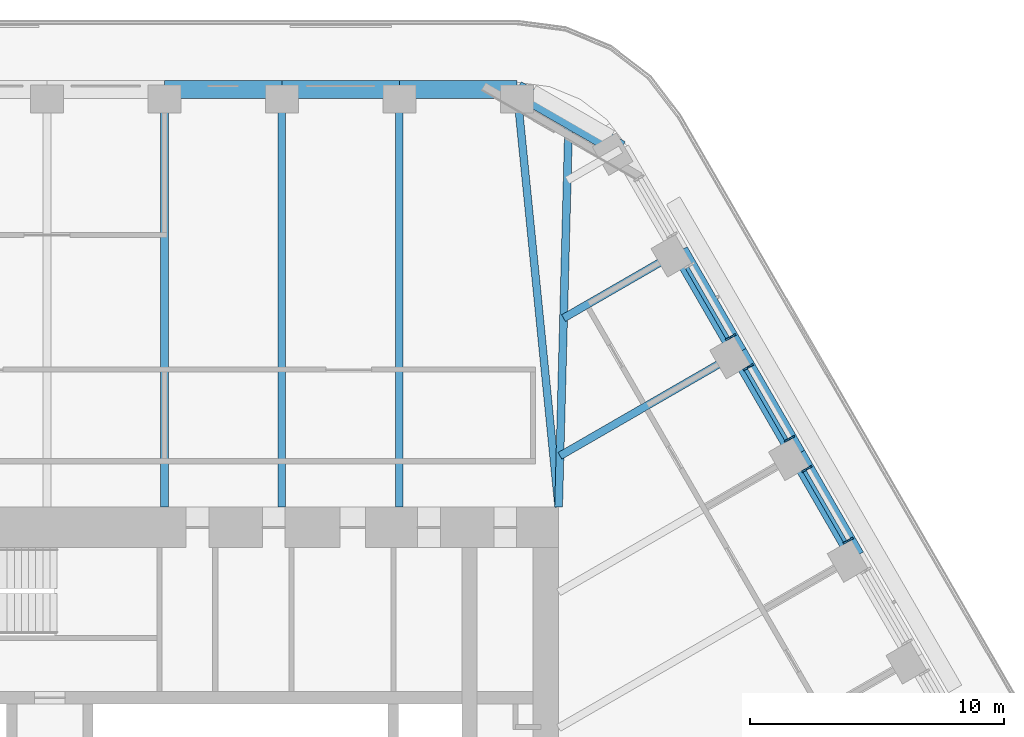
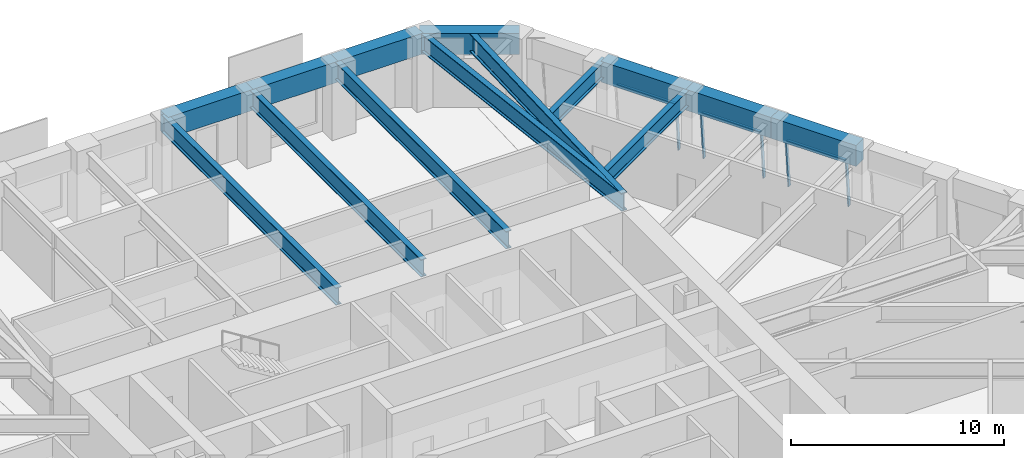
# One storey, part 11 of 20: 14 beams, 8 members, 3 elements without a shape of their own.
"""IFC4 building model written with IfcOpenShell, lengths in metres."""

from ifc_helpers import new_model, si_unit, direction, frame, origin, origin_2d, place, context, subcontext, project, spatial, rectangle, i_section, extrude, material, material_profile, profile_set, type_object, element, aggregate, save


model = new_model("IFC4")

# Units and contexts
model_context = context("Model", 3, precision=1e-05, world=origin(), true_north=direction((0.0, 1.0)))
body_context = subcontext(model_context, "Body", "Model", "MODEL_VIEW")
ifc_project = project(units=[si_unit("LENGTHUNIT", "METRE"), si_unit("AREAUNIT", "SQUARE_METRE"), si_unit("VOLUMEUNIT", "CUBIC_METRE"), si_unit("PLANEANGLEUNIT", "RADIAN"), si_unit("MASSUNIT", "GRAM", prefix="KILO")], contexts=[model_context])

# Site, building, storey
site_placement = place(None, origin())
site = spatial("IfcSite", under=ifc_project, at=site_placement, CompositionType="ELEMENT")
building_placement = place(site_placement, origin())
building = spatial("IfcBuilding", under=site, at=building_placement, Name="Tarfa Lantern Tower", CompositionType="ELEMENT")
storey_placement = place(building_placement, frame((0.0, 0.0, 240.699951171875)))
storey = spatial("IfcBuildingStorey", under=building, at=storey_placement, Name="L54", CompositionType="ELEMENT", Elevation=240.699951171875)

# Curtain wall, members
ifc_material_1 = material(Name="Aluminium framed curtain wall", Category="aluminium")
curtain_wall_type = type_object("IfcCurtainWallType", Name="CW3 CANTED GLAZING HIGH ZONE 2800", PredefinedType="USERDEFINED", material=ifc_material_1)
curtain_wall_1_placement = place(storey_placement, origin())
curtain_wall_1 = element("IfcCurtainWall", 1, at=curtain_wall_1_placement, inside=storey, type_object=curtain_wall_type, Name="CW3 NE L54", ObjectType="CURTAIN WALL", PredefinedType="USERDEFINED")
ifc_material_2 = material(Name="Aluminium mullion", Category="aluminium")
ifc_material_profile_1 = material_profile(ifc_material_2, rectangle(XDim=0.06494140625, YDim=0.199951171875, at=origin_2d()), Name="AL MULLION 65x200")
ifc_profile_set_1 = profile_set([ifc_material_profile_1], Name="Aluminium mullion")
member_type_1 = type_object("IfcMemberType", Name="CWM1 MULLION 65x200", PredefinedType="MULLION", material=ifc_profile_set_1)
member_1_placement = place(storey_placement, frame((26.996337890625, 11.041015625, 0.0), z_axis=(-0.077032386753, -0.044465143199, 0.996036576854), x_axis=(0.499919672301, -0.866071776036, 0.0)))
member_1 = element("IfcMember", 2, at=member_1_placement, type_object=member_type_1, Name="CW3 mullion 1", PredefinedType="MULLION", context=body_context, shape_type="SweptSolid", body=[
    extrude(rectangle(XDim=0.06494140625, YDim=0.199951171875, at=origin_2d()), origin(), (0.0, 0.0, 1.0), 2.811279296875),
])
member_2_placement = place(storey_placement, frame((25.369384765625, 13.85888671875, 0.0), z_axis=(-0.077032386753, -0.044465143199, 0.996036576854), x_axis=(0.499919672301, -0.866071776036, 0.0)))
member_2 = element("IfcMember", 3, at=member_2_placement, type_object=member_type_1, Name="CW3 mullion 2", PredefinedType="MULLION", context=body_context, shape_type="SweptSolid", body=[
    extrude(rectangle(XDim=0.06494140625, YDim=0.199951171875, at=origin_2d()), origin(), (0.0, 0.0, 1.0), 2.811279296875),
])

curtain_wall_2_placement = place(storey_placement, origin())
curtain_wall_2 = element("IfcCurtainWall", 4, at=curtain_wall_2_placement, inside=storey, type_object=curtain_wall_type, Name="CW3 NE L54", ObjectType="CURTAIN WALL", PredefinedType="USERDEFINED")
member_3_placement = place(storey_placement, frame((24.686767578125, 15.041015625, 0.0), z_axis=(-0.076946055247, -0.044465440504, 0.996043236603), x_axis=(0.500342721131, -0.865827443207, 0.0)))
member_3 = element("IfcMember", 5, at=member_3_placement, type_object=member_type_1, Name="CW3 mullion 1", PredefinedType="MULLION", context=body_context, shape_type="SweptSolid", body=[
    extrude(rectangle(XDim=0.06494140625, YDim=0.199951171875, at=origin_2d()), origin(), (0.0, 0.0, 1.0), 2.811279296875),
])
member_4_placement = place(storey_placement, frame((23.06005859375, 17.85888671875, 0.0), z_axis=(-0.077032386753, -0.044465143199, 0.996036576854), x_axis=(0.499919672301, -0.866071776036, 0.0)))
member_4 = element("IfcMember", 6, at=member_4_placement, type_object=member_type_1, Name="CW3 mullion 2", PredefinedType="MULLION", context=body_context, shape_type="SweptSolid", body=[
    extrude(rectangle(XDim=0.06494140625, YDim=0.199951171875, at=origin_2d()), origin(), (0.0, 0.0, 1.0), 2.811279296875),
])

# Curtain wall, member
curtain_wall_3_placement = place(storey_placement, origin())
curtain_wall_3 = element("IfcCurtainWall", 7, at=curtain_wall_3_placement, inside=storey, type_object=curtain_wall_type, Name="CW3 NE L54", ObjectType="CURTAIN WALL", PredefinedType="USERDEFINED")
member_5_placement = place(storey_placement, frame((22.37744140625, 19.041015625, 0.0), z_axis=(-0.077032386753, -0.044465143199, 0.996036576854), x_axis=(0.499919672301, -0.866071776036, 0.0)))
member_5 = element("IfcMember", 8, at=member_5_placement, type_object=member_type_1, Name="CW3 mullion 1", PredefinedType="MULLION", context=body_context, shape_type="SweptSolid", body=[
    extrude(rectangle(XDim=0.06494140625, YDim=0.199951171875, at=origin_2d()), origin(), (0.0, 0.0, 1.0), 2.811279296875),
])

# Member
ifc_material_3 = material(Name="Aluminium transom", Category="aluminium")
ifc_material_profile_2 = material_profile(ifc_material_3, rectangle(XDim=0.14990234375, YDim=0.06494140625, at=origin_2d()), Name="AL TRANSOM 150x65")
ifc_profile_set_2 = profile_set([ifc_material_profile_2], Name="Aluminium transom")
member_type_2 = type_object("IfcMemberType", Name="CWT1 TRANSOM 150x65", PredefinedType="USERDEFINED", material=ifc_profile_set_2)
member_6_placement = place(storey_placement, frame((26.76611328125, 10.945556640625, 2.767578125), z_axis=(-0.500000789788, 0.8660249478, 0.0), x_axis=(-0.8660249478, -0.500000789788, 0.0)))
member_6 = element("IfcMember", 9, at=member_6_placement, type_object=member_type_2, Name="CW3 transom 1.2", ObjectType="TRANSOM", PredefinedType="USERDEFINED", context=body_context, shape_type="SweptSolid", body=[
    extrude(rectangle(XDim=0.14990234375, YDim=0.06494140625, at=origin_2d()), origin(), (0.0, 0.0, 1.0), 3.18896484375),
])

aggregate(curtain_wall_1, [member_1, member_2, member_6])

member_7_placement = place(storey_placement, frame((24.45654296875, 14.945556640625, 2.767578125), z_axis=(-0.499943367995, 0.866058097819, 0.0), x_axis=(-0.866058097819, -0.499943367995, 0.0)))
member_7 = element("IfcMember", 10, at=member_7_placement, type_object=member_type_2, Name="CW3 transom 1.2", ObjectType="TRANSOM", PredefinedType="USERDEFINED", context=body_context, shape_type="SweptSolid", body=[
    extrude(rectangle(XDim=0.14990234375, YDim=0.06494140625, at=origin_2d()), origin(), (0.0, 0.0, 1.0), 3.188720703125),
])

aggregate(curtain_wall_2, [member_3, member_4, member_7])

member_8_placement = place(storey_placement, frame((22.147216796875, 18.945556640625, 2.767578125), z_axis=(-0.500000789788, 0.8660249478, 0.0), x_axis=(-0.8660249478, -0.500000789788, 0.0)))
member_8 = element("IfcMember", 11, at=member_8_placement, type_object=member_type_2, Name="CW3 transom 1.2", ObjectType="TRANSOM", PredefinedType="USERDEFINED", context=body_context, shape_type="SweptSolid", body=[
    extrude(rectangle(XDim=0.14990234375, YDim=0.06494140625, at=origin_2d()), origin(), (0.0, 0.0, 1.0), 3.18896484375),
])

aggregate(curtain_wall_3, [member_5, member_8])

# Beams
ifc_material_4 = material(Name="Concrete C80/95", Category="concrete")
ifc_material_profile_3 = material_profile(ifc_material_4, rectangle(XDim=0.699951171875, YDim=1.199951171875, at=origin_2d()), Name="RC 700x1200")
ifc_profile_set_3 = profile_set([ifc_material_profile_3], Name="Concrete C80/95")
beam_type_1 = type_object("IfcBeamType", Name="EB3 RC 700x1200", PredefinedType="SPANDREL", material=ifc_profile_set_3)
beam_1_placement = place(storey_placement, frame((27.181640625, 10.360107421875, 3.400146484375), z_axis=(-0.499987836815, 0.866032426089, 0.0), x_axis=(-0.866032426089, -0.499987836815, 0.0)))
element("IfcBeam", 12, at=beam_1_placement, inside=storey, type_object=beam_type_1, Name="Edge beam NE2", PredefinedType="SPANDREL", context=body_context, shape_type="SweptSolid", body=[
    extrude(rectangle(XDim=0.699951171875, YDim=1.199951171875, at=origin_2d()), origin(), (0.0, 0.0, 1.0), 4.61865234375),
])
beam_2_placement = place(storey_placement, frame((24.872314453125, 14.360107421875, 3.400146484375), z_axis=(-0.500027479704, 0.866009537788, 0.0), x_axis=(-0.866009537788, -0.500027479704, 0.0)))
element("IfcBeam", 13, at=beam_2_placement, inside=storey, type_object=beam_type_1, Name="Edge beam NE3", PredefinedType="SPANDREL", context=body_context, shape_type="SweptSolid", body=[
    extrude(rectangle(XDim=0.699951171875, YDim=1.199951171875, at=origin_2d()), origin(), (0.0, 0.0, 1.0), 4.618896484375),
])
beam_3_placement = place(storey_placement, frame((22.562744140625, 18.360107421875, 3.400146484375), z_axis=(-0.499987836815, 0.866032426089, 0.0), x_axis=(-0.866032426089, -0.499987836815, 0.0)))
element("IfcBeam", 14, at=beam_3_placement, inside=storey, type_object=beam_type_1, Name="Edge beam NE4", PredefinedType="SPANDREL", context=body_context, shape_type="SweptSolid", body=[
    extrude(rectangle(XDim=0.699951171875, YDim=1.199951171875, at=origin_2d()), origin(), (0.0, 0.0, 1.0), 4.61865234375),
])
beam_4_placement = place(storey_placement, frame((17.944091796875, 26.360107421875, 3.400146484375), z_axis=(-0.866038294681, 0.499977671647, 0.0), x_axis=(-0.499977671647, -0.866038294681, 0.0)))
element("IfcBeam", 15, at=beam_4_placement, inside=storey, type_object=beam_type_1, Name="Edge beam NE6", PredefinedType="SPANDREL", context=body_context, shape_type="SweptSolid", body=[
    extrude(rectangle(XDim=0.699951171875, YDim=1.199951171875, at=origin_2d()), origin(), (0.0, 0.0, 1.0), 4.719970703125),
])
beam_5_placement = place(storey_placement, frame((13.8564453125, 28.719970703125, 3.400146484375), z_axis=(-1.0, 0.0, 0.0), x_axis=(0.0, -1.0, 0.0)))
element("IfcBeam", 16, at=beam_5_placement, inside=storey, type_object=beam_type_1, Name="Edge beam N0", PredefinedType="SPANDREL", context=body_context, shape_type="SweptSolid", body=[
    extrude(rectangle(XDim=0.699951171875, YDim=1.199951171875, at=origin_2d()), origin(), (0.0, 0.0, 1.0), 4.618896484375),
])
beam_6_placement = place(storey_placement, frame((9.237548828125, 28.719970703125, 3.400146484375), z_axis=(-1.0, 0.0, 0.0), x_axis=(0.0, -1.0, 0.0)))
element("IfcBeam", 17, at=beam_6_placement, inside=storey, type_object=beam_type_1, Name="Edge beam N1", PredefinedType="SPANDREL", context=body_context, shape_type="SweptSolid", body=[
    extrude(rectangle(XDim=0.699951171875, YDim=1.199951171875, at=origin_2d()), origin(), (0.0, 0.0, 1.0), 4.61865234375),
])
beam_7_placement = place(storey_placement, frame((4.618896484375, 28.719970703125, 3.400146484375), z_axis=(-1.0, 0.0, 0.0), x_axis=(0.0, -1.0, 0.0)))
element("IfcBeam", 18, at=beam_7_placement, inside=storey, type_object=beam_type_1, Name="Edge beam N2", PredefinedType="SPANDREL", context=body_context, shape_type="SweptSolid", body=[
    extrude(rectangle(XDim=0.699951171875, YDim=1.199951171875, at=origin_2d()), origin(), (0.0, 0.0, 1.0), 4.618896484375),
])
ifc_material_5 = material(Name="Steel S460M", Category="steel")
ifc_material_profile_4 = material_profile(ifc_material_5, i_section(OverallWidth=0.302001953125, OverallDepth=1.008056640625, WebThickness=0.02099609375, FlangeThickness=0.0400390625, FilletRadius=0.030029296875, at=origin_2d()), Name="UB1016x305x349")
ifc_profile_set_4 = profile_set([ifc_material_profile_4], Name="Steel S460M")
beam_type_2 = type_object("IfcBeamType", Name="UB1016x305x349", PredefinedType="BEAM", material=ifc_profile_set_4)
beam_8_placement = place(storey_placement, frame((13.8564453125, 28.719970703125, 3.49609375), z_axis=(0.099597466746, -0.995027810977, 0.0), x_axis=(0.995027810977, 0.099597466746, 0.0)))
element("IfcBeam", 19, at=beam_8_placement, inside=storey, type_object=beam_type_2, Name="Floor beam N0", PredefinedType="BEAM", context=body_context, shape_type="SweptSolid", body=[
    extrude(i_section(OverallWidth=0.302001953125, OverallDepth=1.008056640625, WebThickness=0.02099609375, FlangeThickness=0.0400390625, FilletRadius=0.030029296875, at=origin_2d()), origin(), (0.0, 0.0, 1.0), 16.501953125),
])
for number, where, z_axis, x_axis, name in (
    (20, (9.237548828125, 28.719970703125, 3.49609375), (0.0, -1.0, 0.0), (1.0, 0.0, 0.0), "Floor beam N1"),
    (21, (4.618896484375, 28.719970703125, 3.49609375), (0.0, -1.0, 0.0), (1.0, 0.0, 0.0), "Floor beam N2"),
    (22, (0.0, 28.719970703125, 3.49609375), (0.0, -1.0, 0.0), (1.0, 0.0, 0.0), "Floor beam N3"),
):
    element("IfcBeam", number, at=place(storey_placement, frame(where, z_axis=z_axis, x_axis=x_axis)), inside=storey, type_object=beam_type_2, Name=name, PredefinedType="BEAM", context=body_context, shape_type="SweptSolid", body=[
        extrude(i_section(OverallWidth=0.302001953125, OverallDepth=1.008056640625, WebThickness=0.02099609375, FlangeThickness=0.0400390625, FilletRadius=0.030029296875, at=origin_2d()), origin(), (0.0, 0.0, 1.0), 16.419921875),
    ])
ifc_material_profile_5 = material_profile(ifc_material_5, i_section(OverallWidth=0.30859375, OverallDepth=1.036376953125, WebThickness=0.030029296875, FlangeThickness=0.05419921875, FilletRadius=0.030029296875, at=origin_2d()), Name="UB1016x305x487")
ifc_profile_set_5 = profile_set([ifc_material_profile_5], Name="Steel S460M")
beam_type_3 = type_object("IfcBeamType", Name="UB1016x305x487", PredefinedType="BEAM", material=ifc_profile_set_5)
beam_9_placement = place(storey_placement, frame((15.5, 12.300048828125, 3.48193359375), z_axis=(0.026247301989, 0.999655480222, 0.0), x_axis=(-0.999655480222, 0.026247301989, 0.0)))
element("IfcBeam", 23, at=beam_9_placement, inside=storey, type_object=beam_type_3, Name="Hip girder NE", PredefinedType="BEAM", context=body_context, shape_type="SweptSolid", body=[
    extrude(i_section(OverallWidth=0.30859375, OverallDepth=1.036376953125, WebThickness=0.030029296875, FlangeThickness=0.05419921875, FilletRadius=0.030029296875, at=origin_2d()), origin(), (0.0, 0.0, 1.0), 15.245361328125),
])
ifc_material_profile_6 = material_profile(ifc_material_5, i_section(OverallWidth=0.305419921875, OverallDepth=0.91845703125, WebThickness=0.017333984375, FlangeThickness=0.02783203125, FilletRadius=0.01904296875, at=origin_2d()), Name="UB914x305x253")
ifc_profile_set_6 = profile_set([ifc_material_profile_6], Name="Steel S460M")
beam_type_4 = type_object("IfcBeamType", Name="UB914x305x253", PredefinedType="BEAM", material=ifc_profile_set_6)
beam_10_placement = place(storey_placement, frame((22.562744140625, 18.360107421875, 3.540771484375), z_axis=(-0.866010787764, -0.500025314835, 0.0), x_axis=(0.500025314835, -0.866010787764, 0.0)))
element("IfcBeam", 24, at=beam_10_placement, inside=storey, type_object=beam_type_4, Name="Floor beam NE4", PredefinedType="BEAM", context=body_context, shape_type="SweptSolid", body=[
    extrude(i_section(OverallWidth=0.305419921875, OverallDepth=0.91845703125, WebThickness=0.017333984375, FlangeThickness=0.02783203125, FilletRadius=0.01904296875, at=origin_2d()), origin(), (0.0, 0.0, 1.0), 8.09423828125),
])
beam_11_placement = place(storey_placement, frame((20.25341796875, 22.360107421875, 3.540771484375), z_axis=(-0.86601951648, -0.500010196972, 0.0), x_axis=(0.500010196972, -0.86601951648, 0.0)))
element("IfcBeam", 25, at=beam_11_placement, inside=storey, type_object=beam_type_4, Name="Floor beam NE5", PredefinedType="BEAM", context=body_context, shape_type="SweptSolid", body=[
    extrude(i_section(OverallWidth=0.305419921875, OverallDepth=0.91845703125, WebThickness=0.017333984375, FlangeThickness=0.02783203125, FilletRadius=0.01904296875, at=origin_2d()), origin(), (0.0, 0.0, 1.0), 5.263671875),
])

save(model, "model.ifc")
